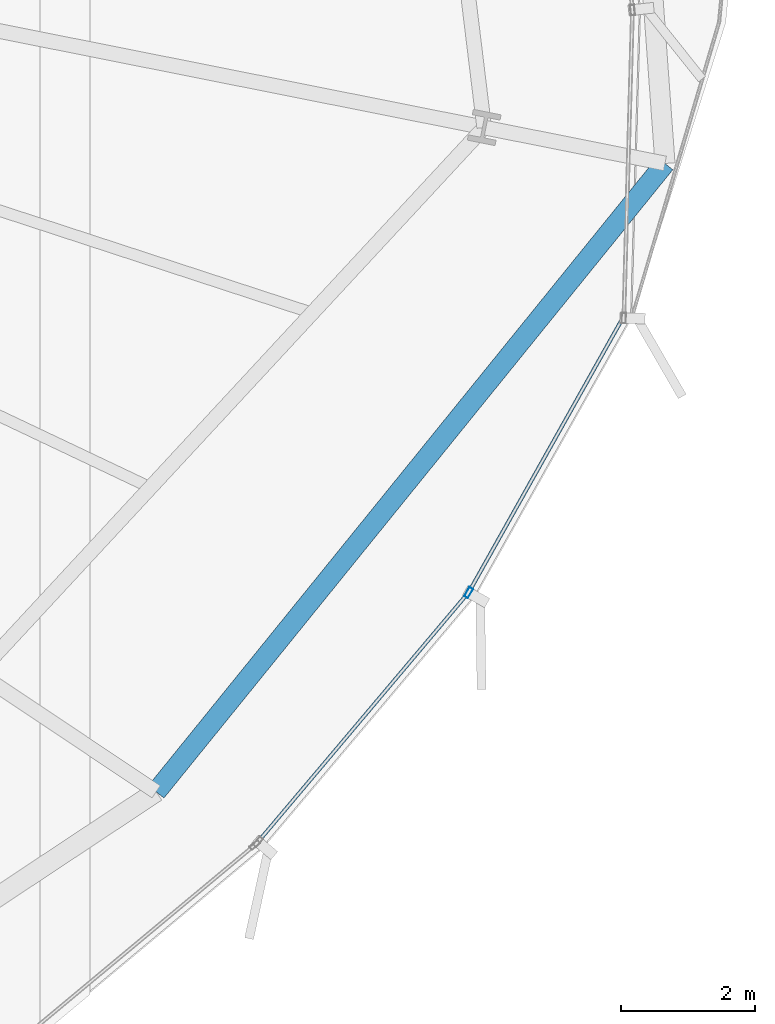
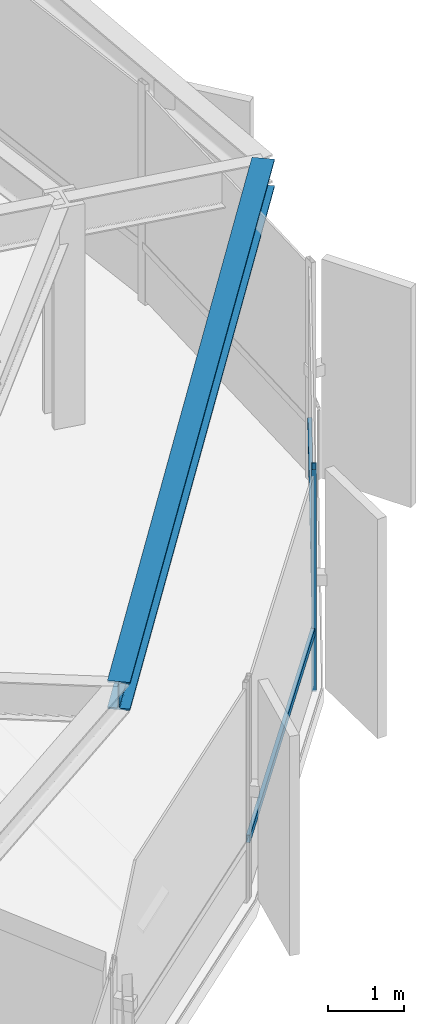
# One storey, part 14 of 39: 3 members, 1 beam, 1 element without a shape of its own.
"""IFC4 building model written with IfcOpenShell, lengths in metres."""

from ifc_helpers import new_model, si_unit, direction, frame, origin, origin_2d, place, context, subcontext, project, spatial, hollow_rectangle, i_section, extrude, source, transform, mapped, material, layer, layer_set, material_profile, profile_set, type_object, element, aggregate, save


model = new_model("IFC4")

# Units and contexts
model_context = context("Model", 3, precision=1e-05, world=origin(), true_north=direction((0.0, 1.0)))
body_context = subcontext(model_context, "Body", "Model", "MODEL_VIEW")
ifc_project = project(units=[si_unit("LENGTHUNIT", "METRE"), si_unit("AREAUNIT", "SQUARE_METRE"), si_unit("VOLUMEUNIT", "CUBIC_METRE"), si_unit("PLANEANGLEUNIT", "RADIAN"), si_unit("MASSUNIT", "GRAM", prefix="KILO"), si_unit("THERMODYNAMICTEMPERATUREUNIT", "KELVIN")], contexts=[model_context])

# Site, building, storey
site_placement = place(None, origin())
site = spatial("IfcSite", under=ifc_project, at=site_placement, CompositionType="ELEMENT")
building_placement = place(site_placement, origin())
building = spatial("IfcBuilding", under=site, at=building_placement, Name="Kethvar Cultural Tower", CompositionType="ELEMENT")
storey_placement = place(building_placement, frame((0.0, 0.0, 33.39990234375)))
storey = spatial("IfcBuildingStorey", under=building, at=storey_placement, Name="L07", CompositionType="ELEMENT", Elevation=33.39990234375)

# Beam
ifc_material_1 = material(Name="Steel S355J2", Category="steel")
ifc_material_profile_1 = material_profile(ifc_material_1, i_section(OverallWidth=0.300048828125, OverallDepth=0.449951171875, WebThickness=0.013916015625, FlangeThickness=0.02587890625, FilletRadius=0.027099609375, at=origin_2d()), Name="Steel S355J2 — HEB450")
ifc_profile_set_1 = profile_set([ifc_material_profile_1], Name="Steel S355J2 — HEB450")
beam_type = type_object("IfcBeamType", Name="BM-SP450", PredefinedType="SPANDREL", material=ifc_profile_set_1)
shared_shape_1 = source(origin(), body_context, "Body", "SweptSolid", [
    extrude(i_section(OverallWidth=0.300048828125, OverallDepth=0.449951171875, WebThickness=0.013916015625, FlangeThickness=0.02587890625, FilletRadius=0.027099609375, at=origin_2d()), origin(), (0.0, 0.0, 1.0), 12.106689453125),
])
beam_placement = place(storey_placement, frame((70.0791015625, 12.24560546875, 3.322998046875), z_axis=(0.629358907397, 0.777114769953, 0.0), x_axis=(-0.777114769953, 0.629358907397, 0.0)))
element("IfcBeam", 1, at=beam_placement, inside=storey, type_object=beam_type, Name="L07 Perimeter Spandrel Beam SP-15", PredefinedType="SPANDREL", context=body_context, shape_type="MappedRepresentation", body=[
    mapped(shared_shape_1, transform((0.0, 0.0, 0.0), scale=1.0)),
])

# Curtain wall, members
ifc_material_2 = material(Name="Aluminium 6063-T6", Category="aluminium")
ifc_layer = layer(ifc_material_2, 0.179931640625, Name="Aluminium 6063-T6", Category="aluminium")
ifc_layer_set = layer_set([ifc_layer], Name="Aluminium 6063-T6 (180 mm)")
curtain_wall_type = type_object("IfcCurtainWallType", Name="CW-SYS-02-Z1", PredefinedType="NOTDEFINED", material=ifc_layer_set)
curtain_wall_placement = place(storey_placement, origin())
curtain_wall = element("IfcCurtainWall", 2, at=curtain_wall_placement, inside=storey, type_object=curtain_wall_type, Name="L07 Curtain Wall Run 07", PredefinedType="NOTDEFINED")
ifc_material_profile_2 = material_profile(ifc_material_2, hollow_rectangle(XDim=0.06494140625, YDim=0.159912109375, WallThickness=0.0048828125, at=origin_2d()), Name="Aluminium 6063-T6 — RHS160x65x5")
ifc_profile_set_2 = profile_set([ifc_material_profile_2], Name="Aluminium 6063-T6 — RHS160x65x5")
member_type_1 = type_object("IfcMemberType", Name="CW-SYS-02-Z1-MUL", PredefinedType="MULLION", material=ifc_profile_set_2)
shared_shape_2 = source(origin(), body_context, "Body", "SweptSolid", [
    extrude(hollow_rectangle(XDim=0.06494140625, YDim=0.159912109375, WallThickness=0.0048828125, at=origin_2d()), origin(), (0.0, 0.0, 1.0), 3.550048828125),
])
member_1_placement = place(storey_placement, frame((74.757568359375, 15.227294921875, 0.0), z_axis=(0.0, 0.0, 1.0), x_axis=(-0.871992389658, 0.489519430032, 0.0)))
member_1 = element("IfcMember", 3, at=member_1_placement, type_object=member_type_1, Name="CW-L07-R07 Mullion 2", PredefinedType="MULLION", context=body_context, shape_type="MappedRepresentation", body=[
    mapped(shared_shape_2, transform((0.0, 0.0, 0.0), scale=1.0)),
])
ifc_material_profile_3 = material_profile(ifc_material_2, hollow_rectangle(XDim=0.054931640625, YDim=0.1201171875, WallThickness=0.00390625, at=origin_2d()), Name="Aluminium 6063-T6 — RHS120x55x4")
ifc_profile_set_3 = profile_set([ifc_material_profile_3], Name="Aluminium 6063-T6 — RHS120x55x4")
member_type_2 = type_object("IfcMemberType", Name="CW-SYS-02-Z1-TRN", PredefinedType="USERDEFINED", material=ifc_profile_set_3)
shared_shape_3 = source(origin(), body_context, "Body", "SweptSolid", [
    extrude(hollow_rectangle(XDim=0.054931640625, YDim=0.1201171875, WallThickness=0.00390625, at=origin_2d()), origin(), (0.0, 0.0, 1.0), 4.857421875),
])
member_2_placement = place(storey_placement, frame((71.60693359375, 11.49853515625, 0.9501953125), z_axis=(0.645060842076, 0.764131212567, 0.0), x_axis=(-0.764131212567, 0.645060842076, 0.0)))
member_2 = element("IfcMember", 4, at=member_2_placement, type_object=member_type_2, Name="CW-L07-R07 Transom 1", ObjectType="TRANSOM", PredefinedType="USERDEFINED", context=body_context, shape_type="MappedRepresentation", body=[
    mapped(shared_shape_3, transform((0.0, 0.0, 0.0), scale=1.0)),
])
shared_shape_4 = source(origin(), body_context, "Body", "SweptSolid", [
    extrude(hollow_rectangle(XDim=0.054931640625, YDim=0.1201171875, WallThickness=0.00390625, at=origin_2d()), origin(), (0.0, 0.0, 1.0), 4.68505859375),
])
member_3_placement = place(storey_placement, frame((74.780517578125, 15.268310546875, 0.9501953125), z_axis=(0.489536146999, 0.871983004869, 0.0), x_axis=(-0.871983004869, 0.489536146999, 0.0)))
member_3 = element("IfcMember", 5, at=member_3_placement, type_object=member_type_2, Name="CW-L07-R07 Transom 2", ObjectType="TRANSOM", PredefinedType="USERDEFINED", context=body_context, shape_type="MappedRepresentation", body=[
    mapped(shared_shape_4, transform((0.0, 0.0, 0.0), scale=1.0)),
])
aggregate(curtain_wall, [member_1, member_2, member_3])

save(model, "model.ifc")
